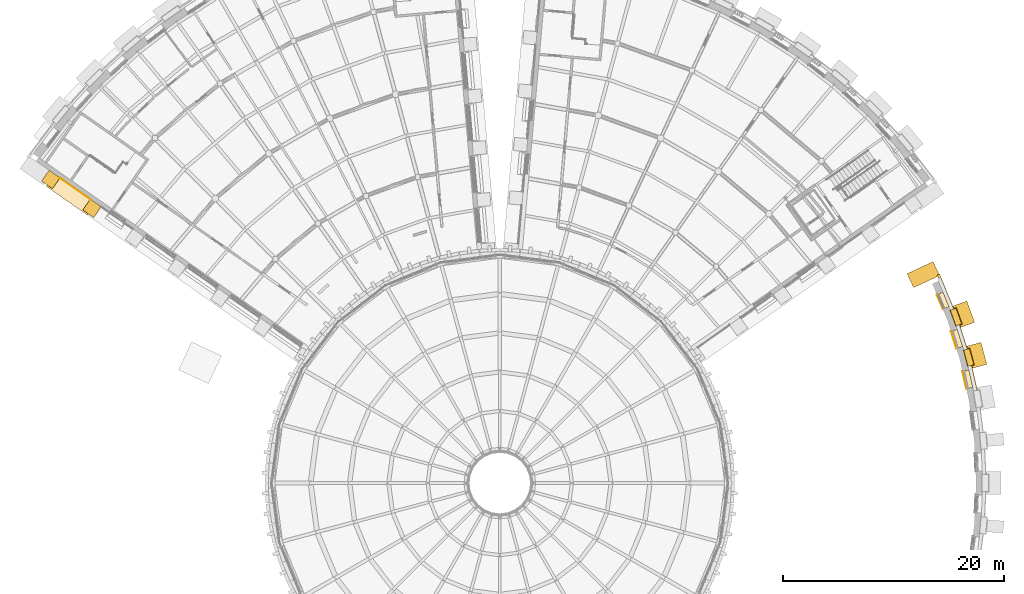
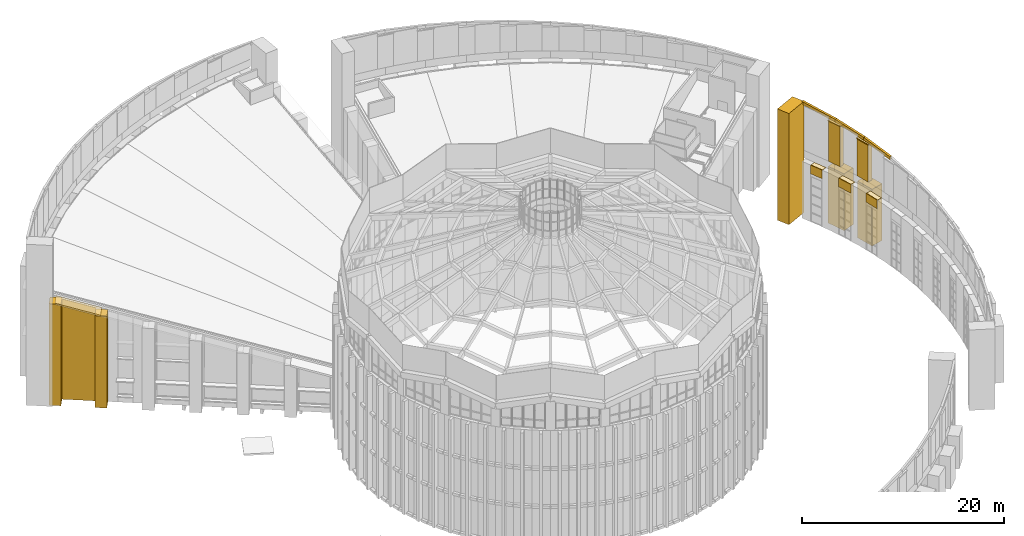
# One storey, part 73 of 82: 20 coverings.
"""IFC4 building model written with IfcOpenShell, lengths in metres."""

from ifc_helpers import new_model, si_unit, direction, frame, origin, origin_2d, place, context, subcontext, project, spatial, polyline, rectangle, outline, extrude, material, layer, layer_set, type_object, element, save


model = new_model("IFC4")

# Units and contexts
model_context = context("Model", 3, precision=1e-05, world=origin(), true_north=direction((0.0, 1.0)))
body_context = subcontext(model_context, "Body", "Model", "MODEL_VIEW")
ifc_project = project(units=[si_unit("LENGTHUNIT", "METRE"), si_unit("AREAUNIT", "SQUARE_METRE"), si_unit("VOLUMEUNIT", "CUBIC_METRE"), si_unit("PLANEANGLEUNIT", "RADIAN"), si_unit("MASSUNIT", "GRAM", prefix="KILO")], contexts=[model_context])

# Site, building, storey
site_placement = place(None, origin())
site = spatial("IfcSite", under=ifc_project, at=site_placement, CompositionType="ELEMENT")
building_placement = place(site_placement, origin())
building = spatial("IfcBuilding", under=site, at=building_placement, Name="Volute Hill Aquarium", CompositionType="ELEMENT")
storey_placement = place(building_placement, frame((0.0, 0.0, 13.800048828125)))
storey = spatial("IfcBuildingStorey", under=building, at=storey_placement, Name="L04", CompositionType="ELEMENT", Elevation=13.800048828125)

# Coverings
ifc_material_1 = material(Name="Precast concrete C40/50", Category="concrete")
covering_type_1 = type_object("IfcCoveringType", Name="Crown coping beam precast concrete C40/50 250x350", PredefinedType="CLADDING", material=ifc_material_1)
covering_1_placement = place(storey_placement, frame((43.48046875, 7.67236328125, 11.98486328125), z_axis=(0.976296118921, 0.216439109638, 0.0), x_axis=(-0.215431938804, 0.971753053773, 0.096359131512)))
element("IfcCovering", 1, at=covering_1_placement, inside=storey, type_object=covering_type_1, Name="Crown coping beam PCB S4 b07", PredefinedType="CLADDING", context=body_context, shape_type="SweptSolid", body=[
    extrude(outline(polyline([(0.0, 0.0), (3.85875387251511, 0.0), (3.8924889786158263, 0.3484685230090611), (0.03371158092212445, 0.3482255184602403), (0.0, 0.0)])), origin(), (0.0, 0.0, -1.0), 0.25),
])
covering_2_placement = place(storey_placement, frame((42.646240234375, 11.4326171875, 12.356689453125), z_axis=(0.953712266201, 0.300720656585, 0.0), x_axis=(-0.299321345871, 0.949274460674, 0.096357304959)))
element("IfcCovering", 2, at=covering_2_placement, inside=storey, type_object=covering_type_1, Name="Crown coping beam PCB S4 b08", PredefinedType="CLADDING", context=body_context, shape_type="SweptSolid", body=[
    extrude(outline(polyline([(0.0, 0.0), (3.8588270192172422, -5.551115123125783e-17), (3.892561485845978, 0.3484685849155098), (0.033734466628735554, 0.3484685849155098), (0.0, 0.0)])), origin(), (0.0, 0.0, -1.0), 0.25),
])
covering_3_placement = place(storey_placement, frame((41.487548828125, 15.10595703125, 12.728515625), z_axis=(0.923888328569, 0.382662196114, 0.0), x_axis=(-0.380879164849, 0.91958343043, 0.096422903203)))
element("IfcCovering", 3, at=covering_3_placement, inside=storey, type_object=covering_type_1, Name="Crown coping beam PCB S4 beb", PredefinedType="CLADDING", context=body_context, shape_type="SweptSolid", body=[
    extrude(outline(polyline([(0.0, 0.0), (4.210678644663854, 0.0), (4.24441253633633, 0.34822335784349945), (0.0337574324203271, 0.3484663608845626), (0.0, 0.0)])), origin(), (0.0, 0.0, -1.0), 0.25),
])
ifc_material_2 = material(Name="Precast concrete C40/50", Category="concrete")
covering_type_2 = type_object("IfcCoveringType", Name="End wall precast coping C40/50 1350x200", PredefinedType="CLADDING", material=ifc_material_2)
covering_4_placement = place(storey_placement, frame((-36.637939453125, 25.41015625, 11.10546875), z_axis=(0.573580829812, 0.819148967937, 0.0), x_axis=(-0.793353775544, 0.555518635465, 0.24897556603)))
element("IfcCovering", 4, at=covering_4_placement, inside=storey, type_object=covering_type_2, Name="End wall coping EWC S6B L04 6", PredefinedType="CLADDING", context=body_context, shape_type="SweptSolid", body=[
    extrude(outline(polyline([(0.0, 0.0), (4.711690073964949, 0.0), (4.761473030160959, 0.19365466275453302), (0.04978295619600972, 0.1936546627545331), (0.0, 0.0)])), origin(), (0.0, 0.0, -1.0), 1.35009765625),
])
ifc_material_3 = material(Name="Precast concrete C40/50", Category="concrete")
covering_type_3 = type_object("IfcCoveringType", Name="End wall precast fin C40/50 1200x1200", PredefinedType="CLADDING", material=ifc_material_3)
covering_5_placement = place(storey_placement, frame((-36.982177734375, 24.91845703125, 0.0), z_axis=(0.0, 0.0, 1.0), x_axis=(-0.819151442029, 0.573577296467, 0.0)))
element("IfcCovering", 5, at=covering_5_placement, inside=storey, type_object=covering_type_3, Name="End wall fin EWF S6B L04 6", PredefinedType="CLADDING", context=body_context, shape_type="SweptSolid", body=[
    extrude(rectangle(XDim=1.199951171875, YDim=1.199951171875, at=origin_2d()), origin(), (0.0, 0.0, 1.0), 11.10546875),
])
covering_6_placement = place(storey_placement, frame((-40.72021484375, 27.535888671875, 0.0), z_axis=(0.0, 0.0, 1.0), x_axis=(-0.819151442029, 0.573577296467, 0.0)))
element("IfcCovering", 6, at=covering_6_placement, inside=storey, type_object=covering_type_3, Name="End wall fin EWF S6B L04 7", PredefinedType="CLADDING", context=body_context, shape_type="SweptSolid", body=[
    extrude(rectangle(XDim=1.199951171875, YDim=1.199951171875, at=origin_2d()), origin(), (0.0, 0.0, 1.0), 12.278564453125),
])
ifc_material_4 = material(Name="Precast concrete C40/50", Category="concrete")
ifc_layer_1 = layer(ifc_material_4, 0.050048828125)
ifc_layer_set_1 = layer_set([ifc_layer_1], Name="End wall precast infill panel C40/50 50")
covering_type_4 = type_object("IfcCoveringType", Name="End wall precast infill panel C40/50 50", PredefinedType="CLADDING", material=ifc_layer_set_1)
covering_7_placement = place(storey_placement, frame((-37.12939453125, 25.754150390625, 0.0), z_axis=(0.573584128646, 0.819146658032, 0.0), x_axis=(-0.819146658032, 0.573584128646, 0.0)))
element("IfcCovering", 7, at=covering_7_placement, inside=storey, type_object=covering_type_4, Name="End wall panel EWP S6B L04 6", PredefinedType="CLADDING", context=body_context, shape_type="SweptSolid", body=[
    extrude(outline(polyline([(0.0, 0.0), (3.3634110889781903, 0.0), (3.3634110889781903, 12.124267578125), (0.0, 11.259765625), (0.0, 0.0)])), origin(), (0.0, 0.0, -1.0), 0.050048828125),
])
ifc_material_5 = material(Name="Precast concrete C40/50", Category="concrete")
ifc_layer_2 = layer(ifc_material_5, 0.10009765625)
ifc_layer_set_2 = layer_set([ifc_layer_2], Name="Niche cap precast concrete C40/50 100")
covering_type_5 = type_object("IfcCoveringType", Name="Niche cap precast concrete C40/50 100", PredefinedType="CLADDING", material=ifc_layer_set_2)
for number, where, z_axis, x_axis, name in (
    (8, (42.452880859375, 9.41162109375, 6.76123046875), (0.0, 0.0, 1.0), (-0.216435504842, 0.976296918076, 0.0), "Niche cap NC S4 L04 8"),
    (9, (41.470947265625, 13.07568359375, 6.76123046875), (0.0, 0.0, 1.0), (-0.300712819287, 0.953714737391, 0.0), "Niche cap NC S4 L04 9"),
):
    element("IfcCovering", number, at=place(storey_placement, frame(where, z_axis=z_axis, x_axis=x_axis)), inside=storey, type_object=covering_type_5, Name=name, PredefinedType="CLADDING", context=body_context, shape_type="SweptSolid", body=[
        extrude(rectangle(XDim=1.637451171875, YDim=0.550048828125, at=origin_2d()), origin(), (0.0, 0.0, 1.0), 0.10009765625),
    ])
covering_8_placement = place(storey_placement, frame((40.211669921875, 16.5478515625, 6.76123046875), z_axis=(0.0, 0.0, 1.0), x_axis=(-0.382695820162, 0.923874401221, 0.0)))
element("IfcCovering", 10, at=covering_8_placement, inside=storey, type_object=covering_type_5, Name="Niche cap NC S4 L04 10", PredefinedType="CLADDING", context=body_context, shape_type="SweptSolid", body=[
    extrude(rectangle(XDim=1.437255859375, YDim=0.550048828125, at=origin_2d()), origin(), (0.0, 0.0, 1.0), 0.10009765625),
])
ifc_material_6 = material(Name="Zinc")
ifc_layer_3 = layer(ifc_material_6, 0.050048828125)
ifc_layer_set_3 = layer_set([ifc_layer_3], Name="Niche head cladding panel 50")
covering_type_6 = type_object("IfcCoveringType", Name="Niche head cladding panel 50", PredefinedType="CLADDING", material=ifc_layer_set_3)
for number, where, z_axis, x_axis, name in (
    (11, (42.159912109375, 9.3466796875, 5.810302734375), (0.0, 0.0, 1.0), (-0.216435504842, 0.976296918076, 0.0), "Niche head cladding NF S4 L04 8"),
    (12, (41.184814453125, 12.985595703125, 5.810302734375), (0.0, 0.0, 1.0), (-0.300712819287, 0.953714737391, 0.0), "Niche head cladding NF S4 L04 9"),
):
    element("IfcCovering", number, at=place(storey_placement, frame(where, z_axis=z_axis, x_axis=x_axis)), inside=storey, type_object=covering_type_6, Name=name, PredefinedType="CLADDING", context=body_context, shape_type="SweptSolid", body=[
        extrude(rectangle(XDim=1.637451171875, YDim=0.050048828125, at=origin_2d()), origin(), (0.0, 0.0, 1.0), 1.05078125),
    ])
covering_9_placement = place(storey_placement, frame((39.9345703125, 16.43310546875, 5.8125), z_axis=(0.0, 0.0, 1.0), x_axis=(-0.382695820162, 0.923874401221, 0.0)))
element("IfcCovering", 13, at=covering_9_placement, inside=storey, type_object=covering_type_6, Name="Niche head cladding NF S4 L04 10", PredefinedType="CLADDING", context=body_context, shape_type="SweptSolid", body=[
    extrude(rectangle(XDim=1.437255859375, YDim=0.050048828125, at=origin_2d()), origin(), (0.0, 0.0, 1.0), 1.048583984375),
])
ifc_material_7 = material(Name="Precast concrete C40/50", Category="concrete")
ifc_layer_4 = layer(ifc_material_7, 0.1201171875)
ifc_layer_set_4 = layer_set([ifc_layer_4], Name="Pier crown coping precast concrete C40/50 1619x650")
covering_type_7 = type_object("IfcCoveringType", Name="Pier crown coping precast concrete C40/50 1619x650", PredefinedType="CLADDING", material=ifc_layer_set_4)
for number, where, z_axis, x_axis, name in (
    (14, (42.527099609375, 11.39501953125, 12.236572265625), (0.0, 0.0, 1.0), (-0.258819045103, 0.965925826289, 0.0), "Pier crown coping PCC S4 8"),
    (15, (41.3720703125, 15.05810546875, 12.608642578125), (0.0, 0.0, 1.0), (-0.342020143326, 0.939692620786, 0.0), "Pier crown coping PCC S4 9"),
):
    element("IfcCovering", number, at=place(storey_placement, frame(where, z_axis=z_axis, x_axis=x_axis)), inside=storey, type_object=covering_type_7, Name=name, PredefinedType="CLADDING", context=body_context, shape_type="SweptSolid", body=[
        extrude(rectangle(XDim=1.619384765625, YDim=0.64990234375, at=origin_2d()), origin(), (0.0, 0.0, 1.0), 0.1201171875),
    ])
ifc_material_8 = material(Name="Precast concrete C40/50", Category="concrete")
covering_type_8 = type_object("IfcCoveringType", Name="Pier crown fin precast concrete C40/50 1519x550", PredefinedType="CLADDING", material=ifc_material_8)
covering_10_placement = place(storey_placement, frame((42.527099609375, 11.39501953125, 7.76123046875), z_axis=(0.0, 0.0, 1.0), x_axis=(-0.258819045103, 0.965925826289, 0.0)))
element("IfcCovering", 16, at=covering_10_placement, inside=storey, type_object=covering_type_8, Name="Pier crown fin PC S4 8", PredefinedType="CLADDING", context=body_context, shape_type="SweptSolid", body=[
    extrude(rectangle(XDim=1.519287109375, YDim=0.550048828125, at=origin_2d()), origin(), (0.0, 0.0, 1.0), 4.475341796875),
])
covering_11_placement = place(storey_placement, frame((41.3720703125, 15.05810546875, 7.76123046875), z_axis=(0.0, 0.0, 1.0), x_axis=(-0.342020143326, 0.939692620786, 0.0)))
element("IfcCovering", 17, at=covering_11_placement, inside=storey, type_object=covering_type_8, Name="Pier crown fin PC S4 9", PredefinedType="CLADDING", context=body_context, shape_type="SweptSolid", body=[
    extrude(rectangle(XDim=1.519287109375, YDim=0.550048828125, at=origin_2d()), origin(), (0.0, 0.0, 1.0), 4.847412109375),
])
ifc_material_9 = material(Name="Precast concrete C40/50", Category="concrete")
covering_type_9 = type_object("IfcCoveringType", Name="Projecting pier precast concrete C40/50 2062x1400", PredefinedType="CLADDING", material=ifc_material_9)
for number, where, z_axis, x_axis, name in (
    (18, (43.227294921875, 11.582763671875, 0.0), (0.0, 0.0, 1.0), (-0.258819045103, 0.965925826289, 0.0), "Projecting pier PP S4 L04 8"),
    (19, (42.053466796875, 15.30615234375, 0.0), (0.0, 0.0, 1.0), (-0.342020143326, 0.939692620786, 0.0), "Projecting pier PP S4 L04 9"),
):
    element("IfcCovering", number, at=place(storey_placement, frame(where, z_axis=z_axis, x_axis=x_axis)), inside=storey, type_object=covering_type_9, Name=name, PredefinedType="CLADDING", context=body_context, shape_type="SweptSolid", body=[
        extrude(rectangle(XDim=2.06201171875, YDim=1.39990234375, at=origin_2d()), origin(), (0.0, 0.0, 1.0), 6.861328125),
    ])
ifc_material_10 = material(Name="Precast concrete C40/50", Category="concrete")
covering_type_10 = type_object("IfcCoveringType", Name="Step pylon precast concrete C40/50 1400x2600", PredefinedType="CLADDING", material=ifc_material_10)
covering_12_placement = place(storey_placement, frame((38.40966796875, 18.90380859375, 0.0), z_axis=(0.0, 0.0, 1.0), x_axis=(0.906307787037, 0.422618261741, 0.0)))
element("IfcCovering", 20, at=covering_12_placement, inside=storey, type_object=covering_type_10, Name="Step pylon SPY S4B L04", PredefinedType="CLADDING", context=body_context, shape_type="SweptSolid", body=[
    extrude(rectangle(XDim=2.60009765625, YDim=1.39990234375, at=origin_2d()), origin(), (0.0, 0.0, 1.0), 13.45068359375),
])

save(model, "model.ifc")
